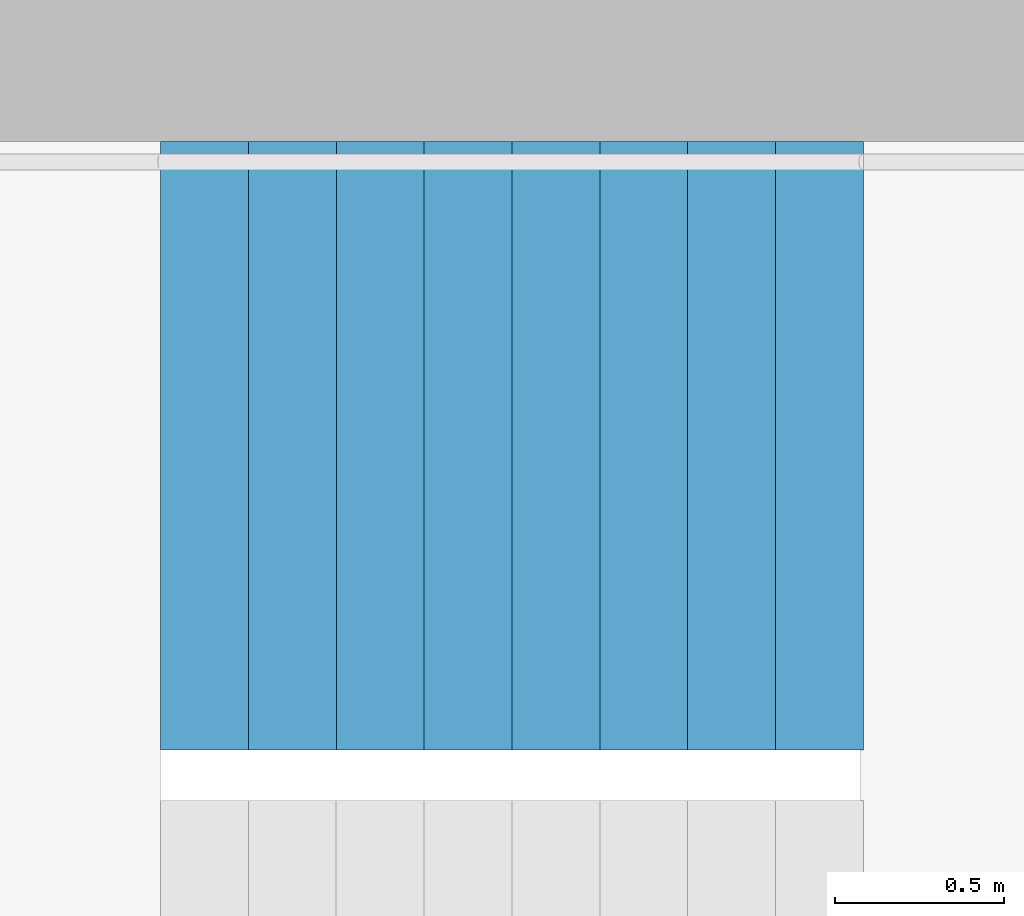
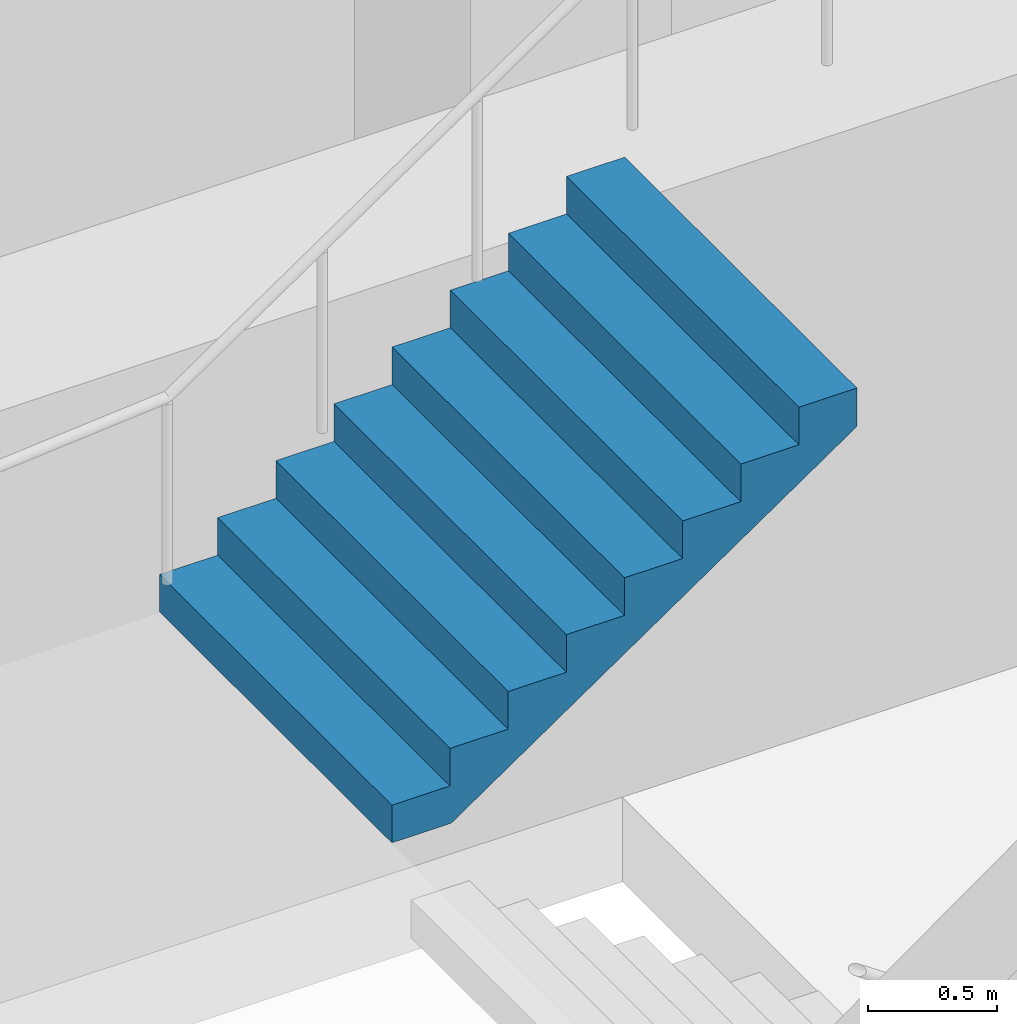
# One storey, part 28 of 29: 1 stair flight, 1 element without a shape of its own.
"""IFC4 building model written with IfcOpenShell, lengths in metres."""

from ifc_helpers import new_model, si_unit, direction, frame, origin, place, context, subcontext, project, spatial, triangles, material, type_object, element, aggregate, save


model = new_model("IFC4")

# Units and contexts
model_context = context("Model", 3, precision=1e-05, world=origin(), true_north=direction((0.0, 1.0)))
body_context = subcontext(model_context, "Body", "Model", "MODEL_VIEW")
ifc_project = project(units=[si_unit("LENGTHUNIT", "METRE"), si_unit("AREAUNIT", "SQUARE_METRE"), si_unit("VOLUMEUNIT", "CUBIC_METRE"), si_unit("PLANEANGLEUNIT", "RADIAN"), si_unit("MASSUNIT", "GRAM", prefix="KILO")], contexts=[model_context])

# Site, building, storey
site_placement = place(None, origin())
site = spatial("IfcSite", under=ifc_project, at=site_placement, CompositionType="ELEMENT")
building_placement = place(site_placement, origin())
building = spatial("IfcBuilding", under=site, at=building_placement, Name="Hakoniwa Tower and Hamabe Station Hall", CompositionType="ELEMENT")
storey_placement = place(building_placement, frame((0.0, 0.0, 75.39990234375)))
storey = spatial("IfcBuildingStorey", under=building, at=storey_placement, Name="L20", CompositionType="ELEMENT", Elevation=75.39990234375)

# Stair, stair flight
ifc_material_1 = material(Name="Concrete C40", Category="concrete")
stair_type = type_object("IfcStairType", Name="ESCAPE STAIR 1800", PredefinedType="HALF_TURN_STAIR", material=ifc_material_1)
stair_placement = place(storey_placement, origin())
stair = element("IfcStair", 1, at=stair_placement, inside=storey, type_object=stair_type, Name="Escape stair ST-3 L20", PredefinedType="HALF_TURN_STAIR")
ifc_material_2 = material(Name="Concrete C40", Category="concrete")
stair_flight_type = type_object("IfcStairFlightType", Name="STAIR FLIGHT 1800", PredefinedType="STRAIGHT", material=ifc_material_2)
stair_flight_placement = place(storey_placement, frame((22.320068359375, 6.60009765625, 1.60009765625), z_axis=(0.0, 0.0, 1.0), x_axis=(1.0, 0.0, 0.0)))
stair_flight = element("IfcStairFlight", 2, at=stair_flight_placement, type_object=stair_flight_type, Name="ST-3 flight 2", NumberOfRisers=9, NumberOfTreads=8, PredefinedType="STRAIGHT", RiserHeight=0.177777778, TreadLength=0.26, context=body_context, shape_type="Tessellation", body=[
    triangles([(0.0, 0.89990234375, 0.0), (0.260009765625, 0.89990234375, 0.0), (0.265625, 0.89990234375, 0.0), (0.52001953125, 0.89990234375, 0.174072265625), (0.780029296875, 0.89990234375, 0.351806640625), (1.0400390625, 0.89990234375, 0.529541015625), (1.300048828125, 0.89990234375, 0.707275390625), (1.56005859375, 0.89990234375, 0.885009765625), (1.820068359375, 0.89990234375, 1.062744140625), (2.080078125, 0.89990234375, 1.24072265625), (2.080078125, 0.89990234375, 1.422119140625), (1.820068359375, 0.89990234375, 1.422119140625), (1.820068359375, 0.89990234375, 1.244384765625), (1.56005859375, 0.89990234375, 1.244384765625), (1.56005859375, 0.89990234375, 1.066650390625), (1.300048828125, 0.89990234375, 1.066650390625), (1.300048828125, 0.89990234375, 0.888916015625), (1.0400390625, 0.89990234375, 0.888916015625), (1.0400390625, 0.89990234375, 0.711181640625), (0.780029296875, 0.89990234375, 0.711181640625), (0.780029296875, 0.89990234375, 0.533447265625), (0.52001953125, 0.89990234375, 0.533447265625), (0.52001953125, 0.89990234375, 0.35546875), (0.265625, 0.89990234375, 0.35546875), (0.260009765625, 0.89990234375, 0.35546875), (0.260009765625, 0.89990234375, 0.177734375), (0.0, 0.89990234375, 0.177734375), (0.0, 0.06005859375, 0.0), (0.260009765625, 0.06005859375, 0.0), (0.265625, 0.06005859375, 0.0), (0.52001953125, 0.06005859375, 0.174072265625), (0.780029296875, 0.06005859375, 0.351806640625), (1.0400390625, 0.06005859375, 0.529541015625), (1.300048828125, 0.06005859375, 0.707275390625), (1.56005859375, 0.06005859375, 0.885009765625), (1.820068359375, 0.06005859375, 1.062744140625), (2.080078125, 0.06005859375, 1.24072265625), (2.080078125, 0.06005859375, 1.422119140625), (1.820068359375, 0.06005859375, 1.422119140625), (1.820068359375, 0.06005859375, 1.244384765625), (1.56005859375, 0.06005859375, 1.244384765625), (1.56005859375, 0.06005859375, 1.066650390625), (1.300048828125, 0.06005859375, 1.066650390625), (1.300048828125, 0.06005859375, 0.888916015625), (1.0400390625, 0.06005859375, 0.888916015625), (1.0400390625, 0.06005859375, 0.711181640625), (0.780029296875, 0.06005859375, 0.711181640625), (0.780029296875, 0.06005859375, 0.533447265625), (0.52001953125, 0.06005859375, 0.533447265625), (0.52001953125, 0.06005859375, 0.35546875), (0.265625, 0.06005859375, 0.35546875), (0.260009765625, 0.06005859375, 0.35546875), (0.260009765625, 0.06005859375, 0.177734375), (0.0, 0.06005859375, 0.177734375), (0.0, 0.04296875, 0.0), (0.260009765625, 0.04296875, 0.0), (0.265625, 0.04296875, 0.0), (0.52001953125, 0.04296875, 0.174072265625), (0.780029296875, 0.04296875, 0.351806640625), (1.0400390625, 0.04296875, 0.529541015625), (1.300048828125, 0.04296875, 0.707275390625), (1.56005859375, 0.04296875, 0.885009765625), (1.820068359375, 0.04296875, 1.062744140625), (2.080078125, 0.04296875, 1.24072265625), (2.080078125, 0.04296875, 1.422119140625), (1.820068359375, 0.04296875, 1.422119140625), (1.820068359375, 0.04296875, 1.244384765625), (1.56005859375, 0.04296875, 1.244384765625), (1.56005859375, 0.04296875, 1.066650390625), (1.300048828125, 0.04296875, 1.066650390625), (1.300048828125, 0.04296875, 0.888916015625), (1.0400390625, 0.04296875, 0.888916015625), (1.0400390625, 0.04296875, 0.711181640625), (0.780029296875, 0.04296875, 0.711181640625), (0.780029296875, 0.04296875, 0.533447265625), (0.52001953125, 0.04296875, 0.533447265625), (0.52001953125, 0.04296875, 0.35546875), (0.265625, 0.04296875, 0.35546875), (0.260009765625, 0.04296875, 0.35546875), (0.260009765625, 0.04296875, 0.177734375), (0.0, 0.04296875, 0.177734375), (0.0, 0.025634765625, 0.0), (0.260009765625, 0.025634765625, 0.0), (0.265625, 0.025634765625, 0.0), (0.52001953125, 0.025634765625, 0.174072265625), (0.780029296875, 0.025634765625, 0.351806640625), (1.0400390625, 0.025634765625, 0.529541015625), (1.300048828125, 0.025634765625, 0.707275390625), (1.56005859375, 0.025634765625, 0.885009765625), (1.820068359375, 0.025634765625, 1.062744140625), (2.080078125, 0.025634765625, 1.24072265625), (2.080078125, 0.025634765625, 1.422119140625), (1.820068359375, 0.025634765625, 1.422119140625), (1.820068359375, 0.025634765625, 1.244384765625), (1.56005859375, 0.025634765625, 1.244384765625), (1.56005859375, 0.025634765625, 1.066650390625), (1.300048828125, 0.025634765625, 1.066650390625), (1.300048828125, 0.025634765625, 0.888916015625), (1.0400390625, 0.025634765625, 0.888916015625), (1.0400390625, 0.025634765625, 0.711181640625), (0.780029296875, 0.025634765625, 0.711181640625), (0.780029296875, 0.025634765625, 0.533447265625), (0.52001953125, 0.025634765625, 0.533447265625), (0.52001953125, 0.025634765625, 0.35546875), (0.265625, 0.025634765625, 0.35546875), (0.260009765625, 0.025634765625, 0.35546875), (0.260009765625, 0.025634765625, 0.177734375), (0.0, 0.025634765625, 0.177734375), (0.0, 0.008544921875, 0.0), (0.260009765625, 0.008544921875, 0.0), (0.265625, 0.008544921875, 0.0), (0.52001953125, 0.008544921875, 0.174072265625), (0.780029296875, 0.008544921875, 0.351806640625), (1.0400390625, 0.008544921875, 0.529541015625), (1.300048828125, 0.008544921875, 0.707275390625), (1.56005859375, 0.008544921875, 0.885009765625), (1.820068359375, 0.008544921875, 1.062744140625), (2.080078125, 0.008544921875, 1.24072265625), (2.080078125, 0.008544921875, 1.422119140625), (1.820068359375, 0.008544921875, 1.422119140625), (1.820068359375, 0.008544921875, 1.244384765625), (1.56005859375, 0.008544921875, 1.244384765625), (1.56005859375, 0.008544921875, 1.066650390625), (1.300048828125, 0.008544921875, 1.066650390625), (1.300048828125, 0.008544921875, 0.888916015625), (1.0400390625, 0.008544921875, 0.888916015625), (1.0400390625, 0.008544921875, 0.711181640625), (0.780029296875, 0.008544921875, 0.711181640625), (0.780029296875, 0.008544921875, 0.533447265625), (0.52001953125, 0.008544921875, 0.533447265625), (0.52001953125, 0.008544921875, 0.35546875), (0.265625, 0.008544921875, 0.35546875), (0.260009765625, 0.008544921875, 0.35546875), (0.260009765625, 0.008544921875, 0.177734375), (0.0, 0.008544921875, 0.177734375), (0.0, -0.008544921875, 0.0), (0.260009765625, -0.008544921875, 0.0), (0.265625, -0.008544921875, 0.0), (0.52001953125, -0.008544921875, 0.174072265625), (0.780029296875, -0.008544921875, 0.351806640625), (1.0400390625, -0.008544921875, 0.529541015625), (1.300048828125, -0.008544921875, 0.707275390625), (1.56005859375, -0.008544921875, 0.885009765625), (1.820068359375, -0.008544921875, 1.062744140625), (2.080078125, -0.008544921875, 1.24072265625), (2.080078125, -0.008544921875, 1.422119140625), (1.820068359375, -0.008544921875, 1.422119140625), (1.820068359375, -0.008544921875, 1.244384765625), (1.56005859375, -0.008544921875, 1.244384765625), (1.56005859375, -0.008544921875, 1.066650390625), (1.300048828125, -0.008544921875, 1.066650390625), (1.300048828125, -0.008544921875, 0.888916015625), (1.0400390625, -0.008544921875, 0.888916015625), (1.0400390625, -0.008544921875, 0.711181640625), (0.780029296875, -0.008544921875, 0.711181640625), (0.780029296875, -0.008544921875, 0.533447265625), (0.52001953125, -0.008544921875, 0.533447265625), (0.52001953125, -0.008544921875, 0.35546875), (0.265625, -0.008544921875, 0.35546875), (0.260009765625, -0.008544921875, 0.35546875), (0.260009765625, -0.008544921875, 0.177734375), (0.0, -0.008544921875, 0.177734375), (0.0, -0.025634765625, 0.0), (0.260009765625, -0.025634765625, 0.0), (0.265625, -0.025634765625, 0.0), (0.52001953125, -0.025634765625, 0.174072265625), (0.780029296875, -0.025634765625, 0.351806640625), (1.0400390625, -0.025634765625, 0.529541015625), (1.300048828125, -0.025634765625, 0.707275390625), (1.56005859375, -0.025634765625, 0.885009765625), (1.820068359375, -0.025634765625, 1.062744140625), (2.080078125, -0.025634765625, 1.24072265625), (2.080078125, -0.025634765625, 1.422119140625), (1.820068359375, -0.025634765625, 1.422119140625), (1.820068359375, -0.025634765625, 1.244384765625), (1.56005859375, -0.025634765625, 1.244384765625), (1.56005859375, -0.025634765625, 1.066650390625), (1.300048828125, -0.025634765625, 1.066650390625), (1.300048828125, -0.025634765625, 0.888916015625), (1.0400390625, -0.025634765625, 0.888916015625), (1.0400390625, -0.025634765625, 0.711181640625), (0.780029296875, -0.025634765625, 0.711181640625), (0.780029296875, -0.025634765625, 0.533447265625), (0.52001953125, -0.025634765625, 0.533447265625), (0.52001953125, -0.025634765625, 0.35546875), (0.265625, -0.025634765625, 0.35546875), (0.260009765625, -0.025634765625, 0.35546875), (0.260009765625, -0.025634765625, 0.177734375), (0.0, -0.025634765625, 0.177734375), (0.0, -0.04296875, 0.0), (0.260009765625, -0.04296875, 0.0), (0.265625, -0.04296875, 0.0), (0.52001953125, -0.04296875, 0.174072265625), (0.780029296875, -0.04296875, 0.351806640625), (1.0400390625, -0.04296875, 0.529541015625), (1.300048828125, -0.04296875, 0.707275390625), (1.56005859375, -0.04296875, 0.885009765625), (1.820068359375, -0.04296875, 1.062744140625), (2.080078125, -0.04296875, 1.24072265625), (2.080078125, -0.04296875, 1.422119140625), (1.820068359375, -0.04296875, 1.422119140625), (1.820068359375, -0.04296875, 1.244384765625), (1.56005859375, -0.04296875, 1.244384765625), (1.56005859375, -0.04296875, 1.066650390625), (1.300048828125, -0.04296875, 1.066650390625), (1.300048828125, -0.04296875, 0.888916015625), (1.0400390625, -0.04296875, 0.888916015625), (1.0400390625, -0.04296875, 0.711181640625), (0.780029296875, -0.04296875, 0.711181640625), (0.780029296875, -0.04296875, 0.533447265625), (0.52001953125, -0.04296875, 0.533447265625), (0.52001953125, -0.04296875, 0.35546875), (0.265625, -0.04296875, 0.35546875), (0.260009765625, -0.04296875, 0.35546875), (0.260009765625, -0.04296875, 0.177734375), (0.0, -0.04296875, 0.177734375), (0.0, -0.06005859375, 0.0), (0.260009765625, -0.06005859375, 0.0), (0.265625, -0.06005859375, 0.0), (0.52001953125, -0.06005859375, 0.174072265625), (0.780029296875, -0.06005859375, 0.351806640625), (1.0400390625, -0.06005859375, 0.529541015625), (1.300048828125, -0.06005859375, 0.707275390625), (1.56005859375, -0.06005859375, 0.885009765625), (1.820068359375, -0.06005859375, 1.062744140625), (2.080078125, -0.06005859375, 1.24072265625), (2.080078125, -0.06005859375, 1.422119140625), (1.820068359375, -0.06005859375, 1.422119140625), (1.820068359375, -0.06005859375, 1.244384765625), (1.56005859375, -0.06005859375, 1.244384765625), (1.56005859375, -0.06005859375, 1.066650390625), (1.300048828125, -0.06005859375, 1.066650390625), (1.300048828125, -0.06005859375, 0.888916015625), (1.0400390625, -0.06005859375, 0.888916015625), (1.0400390625, -0.06005859375, 0.711181640625), (0.780029296875, -0.06005859375, 0.711181640625), (0.780029296875, -0.06005859375, 0.533447265625), (0.52001953125, -0.06005859375, 0.533447265625), (0.52001953125, -0.06005859375, 0.35546875), (0.265625, -0.06005859375, 0.35546875), (0.260009765625, -0.06005859375, 0.35546875), (0.260009765625, -0.06005859375, 0.177734375), (0.0, -0.06005859375, 0.177734375), (0.0, -0.89990234375, 0.0), (0.260009765625, -0.89990234375, 0.0), (0.265625, -0.89990234375, 0.0), (0.52001953125, -0.89990234375, 0.174072265625), (0.780029296875, -0.89990234375, 0.351806640625), (1.0400390625, -0.89990234375, 0.529541015625), (1.300048828125, -0.89990234375, 0.707275390625), (1.56005859375, -0.89990234375, 0.885009765625), (1.820068359375, -0.89990234375, 1.062744140625), (2.080078125, -0.89990234375, 1.24072265625), (2.080078125, -0.89990234375, 1.422119140625), (1.820068359375, -0.89990234375, 1.422119140625), (1.820068359375, -0.89990234375, 1.244384765625), (1.56005859375, -0.89990234375, 1.244384765625), (1.56005859375, -0.89990234375, 1.066650390625), (1.300048828125, -0.89990234375, 1.066650390625), (1.300048828125, -0.89990234375, 0.888916015625), (1.0400390625, -0.89990234375, 0.888916015625), (1.0400390625, -0.89990234375, 0.711181640625), (0.780029296875, -0.89990234375, 0.711181640625), (0.780029296875, -0.89990234375, 0.533447265625), (0.52001953125, -0.89990234375, 0.533447265625), (0.52001953125, -0.89990234375, 0.35546875), (0.265625, -0.89990234375, 0.35546875), (0.260009765625, -0.89990234375, 0.35546875), (0.260009765625, -0.89990234375, 0.177734375), (0.0, -0.89990234375, 0.177734375)], [[2, 27, 26], [245, 269, 270], [2, 1, 27], [245, 270, 244], [3, 25, 24], [246, 267, 268], [3, 26, 25], [246, 268, 269], [3, 2, 26], [246, 269, 245], [4, 24, 23], [247, 266, 267], [4, 3, 24], [247, 267, 246], [5, 22, 21], [248, 264, 265], [5, 23, 22], [248, 265, 266], [5, 4, 23], [248, 266, 247], [6, 20, 19], [249, 262, 263], [6, 21, 20], [249, 263, 264], [6, 5, 21], [249, 264, 248], [7, 18, 17], [250, 260, 261], [7, 19, 18], [250, 261, 262], [7, 6, 19], [250, 262, 249], [8, 16, 15], [251, 258, 259], [8, 17, 16], [251, 259, 260], [8, 7, 17], [251, 260, 250], [9, 14, 13], [252, 256, 257], [9, 15, 14], [252, 257, 258], [9, 8, 15], [252, 258, 251], [10, 12, 11], [253, 254, 255], [10, 13, 12], [253, 255, 256], [10, 9, 13], [253, 256, 252], [1, 2, 29], [1, 29, 28], [28, 29, 56], [28, 56, 55], [55, 56, 83], [55, 83, 82], [82, 83, 110], [82, 110, 109], [109, 110, 137], [109, 137, 136], [136, 137, 164], [136, 164, 163], [163, 164, 191], [163, 191, 190], [190, 191, 218], [190, 218, 217], [217, 218, 245], [217, 245, 244], [2, 3, 30], [2, 30, 29], [29, 30, 57], [29, 57, 56], [56, 57, 84], [56, 84, 83], [83, 84, 111], [83, 111, 110], [110, 111, 138], [110, 138, 137], [137, 138, 165], [137, 165, 164], [164, 165, 192], [164, 192, 191], [191, 192, 219], [191, 219, 218], [218, 219, 246], [218, 246, 245], [3, 4, 31], [3, 31, 30], [30, 31, 58], [30, 58, 57], [57, 58, 85], [57, 85, 84], [84, 85, 112], [84, 112, 111], [111, 112, 139], [111, 139, 138], [138, 139, 166], [138, 166, 165], [165, 166, 193], [165, 193, 192], [192, 193, 220], [192, 220, 219], [219, 220, 247], [219, 247, 246], [4, 5, 32], [4, 32, 31], [31, 32, 59], [31, 59, 58], [58, 59, 86], [58, 86, 85], [85, 86, 113], [85, 113, 112], [112, 113, 140], [112, 140, 139], [139, 140, 167], [139, 167, 166], [166, 167, 194], [166, 194, 193], [193, 194, 221], [193, 221, 220], [220, 221, 248], [220, 248, 247], [5, 6, 33], [5, 33, 32], [32, 33, 60], [32, 60, 59], [59, 60, 87], [59, 87, 86], [86, 87, 114], [86, 114, 113], [113, 114, 141], [113, 141, 140], [140, 141, 168], [140, 168, 167], [167, 168, 195], [167, 195, 194], [194, 195, 222], [194, 222, 221], [221, 222, 249], [221, 249, 248], [6, 7, 34], [6, 34, 33], [33, 34, 61], [33, 61, 60], [60, 61, 88], [60, 88, 87], [87, 88, 115], [87, 115, 114], [114, 115, 142], [114, 142, 141], [141, 142, 169], [141, 169, 168], [168, 169, 196], [168, 196, 195], [195, 196, 223], [195, 223, 222], [222, 223, 250], [222, 250, 249], [7, 8, 35], [7, 35, 34], [34, 35, 62], [34, 62, 61], [61, 62, 89], [61, 89, 88], [88, 89, 116], [88, 116, 115], [115, 116, 143], [115, 143, 142], [142, 143, 170], [142, 170, 169], [169, 170, 197], [169, 197, 196], [196, 197, 224], [196, 224, 223], [223, 224, 251], [223, 251, 250], [8, 9, 36], [8, 36, 35], [35, 36, 63], [35, 63, 62], [62, 63, 90], [62, 90, 89], [89, 90, 117], [89, 117, 116], [116, 117, 144], [116, 144, 143], [143, 144, 171], [143, 171, 170], [170, 171, 198], [170, 198, 197], [197, 198, 225], [197, 225, 224], [224, 225, 252], [224, 252, 251], [9, 10, 37], [9, 37, 36], [36, 37, 64], [36, 64, 63], [63, 64, 91], [63, 91, 90], [90, 91, 118], [90, 118, 117], [117, 118, 145], [117, 145, 144], [144, 145, 172], [144, 172, 171], [171, 172, 199], [171, 199, 198], [198, 199, 226], [198, 226, 225], [225, 226, 253], [225, 253, 252], [10, 11, 38], [10, 38, 37], [37, 38, 65], [37, 65, 64], [64, 65, 92], [64, 92, 91], [91, 92, 119], [91, 119, 118], [118, 119, 146], [118, 146, 145], [145, 146, 173], [145, 173, 172], [172, 173, 200], [172, 200, 199], [199, 200, 227], [199, 227, 226], [226, 227, 254], [226, 254, 253], [11, 12, 39], [11, 39, 38], [38, 39, 66], [38, 66, 65], [65, 66, 93], [65, 93, 92], [92, 93, 120], [92, 120, 119], [119, 120, 147], [119, 147, 146], [146, 147, 174], [146, 174, 173], [173, 174, 201], [173, 201, 200], [200, 201, 228], [200, 228, 227], [227, 228, 255], [227, 255, 254], [12, 13, 40], [12, 40, 39], [39, 40, 67], [39, 67, 66], [66, 67, 94], [66, 94, 93], [93, 94, 121], [93, 121, 120], [120, 121, 148], [120, 148, 147], [147, 148, 175], [147, 175, 174], [174, 175, 202], [174, 202, 201], [201, 202, 229], [201, 229, 228], [228, 229, 256], [228, 256, 255], [13, 14, 41], [13, 41, 40], [40, 41, 68], [40, 68, 67], [67, 68, 95], [67, 95, 94], [94, 95, 122], [94, 122, 121], [121, 122, 149], [121, 149, 148], [148, 149, 176], [148, 176, 175], [175, 176, 203], [175, 203, 202], [202, 203, 230], [202, 230, 229], [229, 230, 257], [229, 257, 256], [14, 15, 42], [14, 42, 41], [41, 42, 69], [41, 69, 68], [68, 69, 96], [68, 96, 95], [95, 96, 123], [95, 123, 122], [122, 123, 150], [122, 150, 149], [149, 150, 177], [149, 177, 176], [176, 177, 204], [176, 204, 203], [203, 204, 231], [203, 231, 230], [230, 231, 258], [230, 258, 257], [15, 16, 43], [15, 43, 42], [42, 43, 70], [42, 70, 69], [69, 70, 97], [69, 97, 96], [96, 97, 124], [96, 124, 123], [123, 124, 151], [123, 151, 150], [150, 151, 178], [150, 178, 177], [177, 178, 205], [177, 205, 204], [204, 205, 232], [204, 232, 231], [231, 232, 259], [231, 259, 258], [16, 17, 44], [16, 44, 43], [43, 44, 71], [43, 71, 70], [70, 71, 98], [70, 98, 97], [97, 98, 125], [97, 125, 124], [124, 125, 152], [124, 152, 151], [151, 152, 179], [151, 179, 178], [178, 179, 206], [178, 206, 205], [205, 206, 233], [205, 233, 232], [232, 233, 260], [232, 260, 259], [17, 18, 45], [17, 45, 44], [44, 45, 72], [44, 72, 71], [71, 72, 99], [71, 99, 98], [98, 99, 126], [98, 126, 125], [125, 126, 153], [125, 153, 152], [152, 153, 180], [152, 180, 179], [179, 180, 207], [179, 207, 206], [206, 207, 234], [206, 234, 233], [233, 234, 261], [233, 261, 260], [18, 19, 46], [18, 46, 45], [45, 46, 73], [45, 73, 72], [72, 73, 100], [72, 100, 99], [99, 100, 127], [99, 127, 126], [126, 127, 154], [126, 154, 153], [153, 154, 181], [153, 181, 180], [180, 181, 208], [180, 208, 207], [207, 208, 235], [207, 235, 234], [234, 235, 262], [234, 262, 261], [19, 20, 47], [19, 47, 46], [46, 47, 74], [46, 74, 73], [73, 74, 101], [73, 101, 100], [100, 101, 128], [100, 128, 127], [127, 128, 155], [127, 155, 154], [154, 155, 182], [154, 182, 181], [181, 182, 209], [181, 209, 208], [208, 209, 236], [208, 236, 235], [235, 236, 263], [235, 263, 262], [20, 21, 48], [20, 48, 47], [47, 48, 75], [47, 75, 74], [74, 75, 102], [74, 102, 101], [101, 102, 129], [101, 129, 128], [128, 129, 156], [128, 156, 155], [155, 156, 183], [155, 183, 182], [182, 183, 210], [182, 210, 209], [209, 210, 237], [209, 237, 236], [236, 237, 264], [236, 264, 263], [21, 22, 49], [21, 49, 48], [48, 49, 76], [48, 76, 75], [75, 76, 103], [75, 103, 102], [102, 103, 130], [102, 130, 129], [129, 130, 157], [129, 157, 156], [156, 157, 184], [156, 184, 183], [183, 184, 211], [183, 211, 210], [210, 211, 238], [210, 238, 237], [237, 238, 265], [237, 265, 264], [22, 23, 50], [22, 50, 49], [49, 50, 77], [49, 77, 76], [76, 77, 104], [76, 104, 103], [103, 104, 131], [103, 131, 130], [130, 131, 158], [130, 158, 157], [157, 158, 185], [157, 185, 184], [184, 185, 212], [184, 212, 211], [211, 212, 239], [211, 239, 238], [238, 239, 266], [238, 266, 265], [23, 24, 51], [23, 51, 50], [50, 51, 78], [50, 78, 77], [77, 78, 105], [77, 105, 104], [104, 105, 132], [104, 132, 131], [131, 132, 159], [131, 159, 158], [158, 159, 186], [158, 186, 185], [185, 186, 213], [185, 213, 212], [212, 213, 240], [212, 240, 239], [239, 240, 267], [239, 267, 266], [24, 25, 52], [24, 52, 51], [51, 52, 79], [51, 79, 78], [78, 79, 106], [78, 106, 105], [105, 106, 133], [105, 133, 132], [132, 133, 160], [132, 160, 159], [159, 160, 187], [159, 187, 186], [186, 187, 214], [186, 214, 213], [213, 214, 241], [213, 241, 240], [240, 241, 268], [240, 268, 267], [25, 26, 53], [25, 53, 52], [52, 53, 80], [52, 80, 79], [79, 80, 107], [79, 107, 106], [106, 107, 134], [106, 134, 133], [133, 134, 161], [133, 161, 160], [160, 161, 188], [160, 188, 187], [187, 188, 215], [187, 215, 214], [214, 215, 242], [214, 242, 241], [241, 242, 269], [241, 269, 268], [26, 27, 54], [26, 54, 53], [53, 54, 81], [53, 81, 80], [80, 81, 108], [80, 108, 107], [107, 108, 135], [107, 135, 134], [134, 135, 162], [134, 162, 161], [161, 162, 189], [161, 189, 188], [188, 189, 216], [188, 216, 215], [215, 216, 243], [215, 243, 242], [242, 243, 270], [242, 270, 269], [27, 1, 28], [27, 28, 54], [54, 28, 55], [54, 55, 81], [81, 55, 82], [81, 82, 108], [108, 82, 109], [108, 109, 135], [135, 109, 136], [135, 136, 162], [162, 136, 163], [162, 163, 189], [189, 163, 190], [189, 190, 216], [216, 190, 217], [216, 217, 243], [243, 217, 244], [243, 244, 270]], closed=True),
])
aggregate(stair, [stair_flight])

save(model, "model.ifc")
